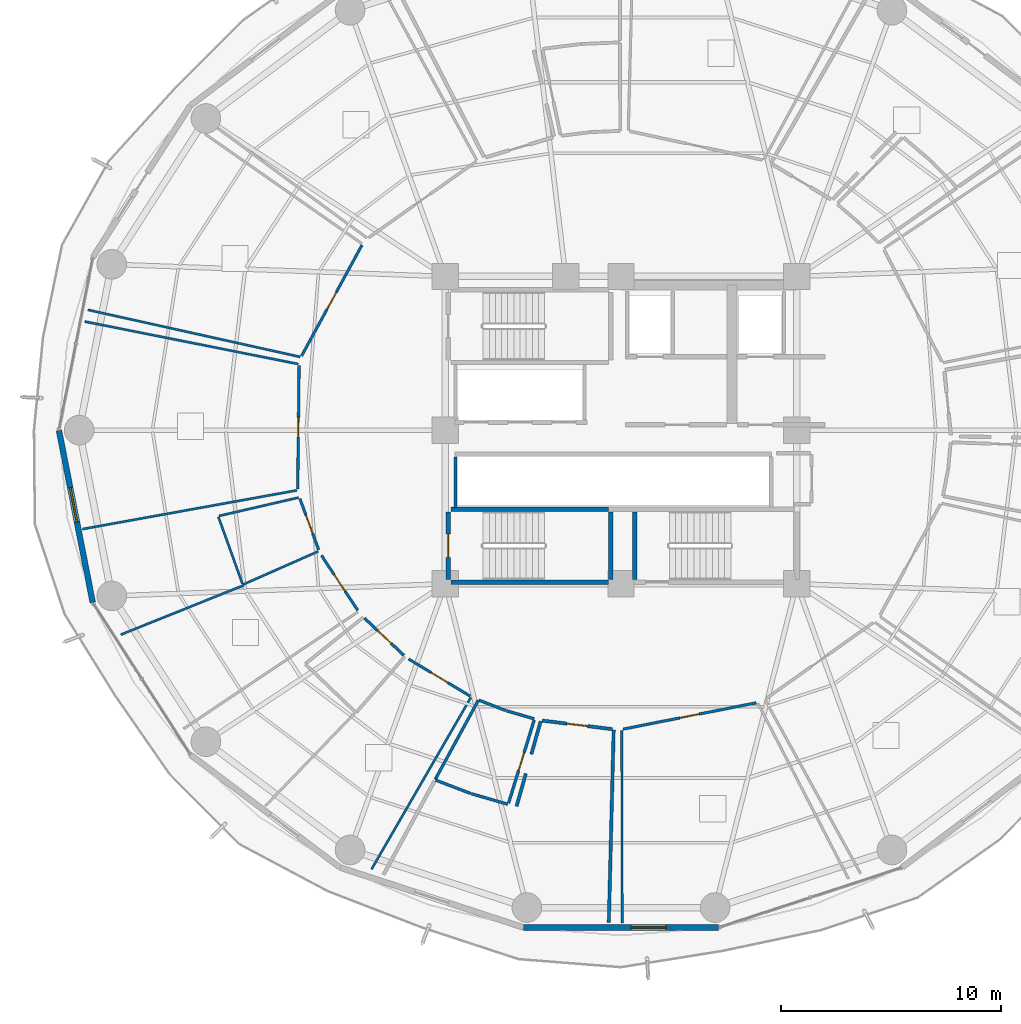
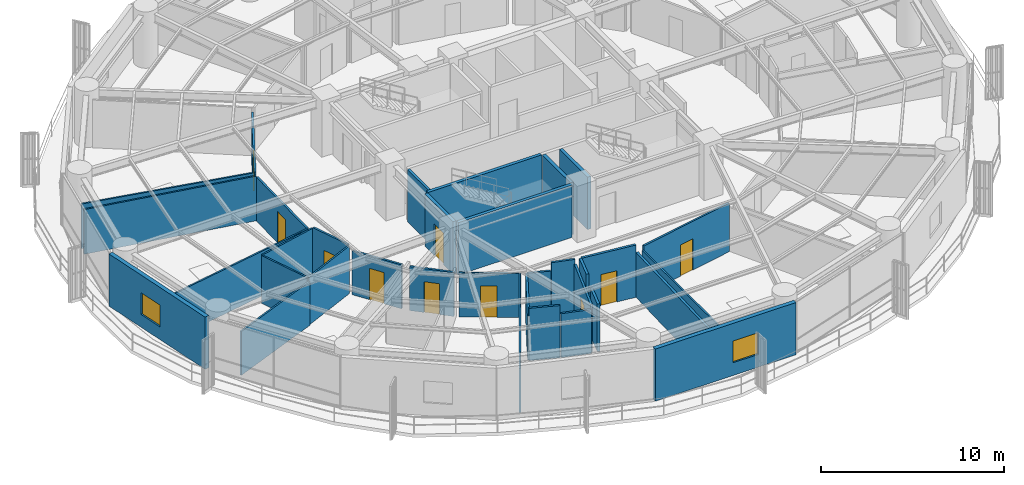
# One storey, part 29 of 35: 34 walls, 10 doors, 2 windows, 12 openings.
"""IFC4 building model written with IfcOpenShell, lengths in metres."""

from ifc_helpers import new_model, si_unit, direction, frame, frame_2d, origin, place, context, subcontext, project, spatial, rectangle, extrude, material, layer, layer_set, type_object, element, fill, save


model = new_model("IFC4")

# Units and contexts
model_context = context("Model", 3, precision=1e-05, world=origin(), true_north=direction((0.0, 1.0)))
body_context = subcontext(model_context, "Body", "Model", "MODEL_VIEW")
ifc_project = project(units=[si_unit("LENGTHUNIT", "METRE"), si_unit("AREAUNIT", "SQUARE_METRE"), si_unit("VOLUMEUNIT", "CUBIC_METRE"), si_unit("PLANEANGLEUNIT", "RADIAN"), si_unit("MASSUNIT", "GRAM", prefix="KILO")], contexts=[model_context])

# Site, building, storey
site_placement = place(None, origin())
site = spatial("IfcSite", under=ifc_project, at=site_placement, CompositionType="ELEMENT")
building_placement = place(site_placement, origin())
building = spatial("IfcBuilding", under=site, at=building_placement, Name="Kelanora Arch Commons", CompositionType="ELEMENT")
storey_placement = place(building_placement, frame((0.0, 0.0, 117.60009765625)))
storey = spatial("IfcBuildingStorey", under=building, at=storey_placement, Name="L30", CompositionType="ELEMENT", Elevation=117.60009765625)

# Wall
ifc_material_1 = material(Name="Autoclaved aerated concrete blockwork with fire plaster", Category="masonry")
ifc_layer_1 = layer(ifc_material_1, 0.14990234375)
ifc_layer_set_1 = layer_set([ifc_layer_1], Name="Autoclaved aerated concrete blockwork with fire plaster")
wall_type_1 = type_object("IfcWallType", Name="W-COMP-150", PredefinedType="PARTITIONING", material=ifc_layer_set_1)
wall_1_placement = place(storey_placement, frame((66.4599609375, 54.47998046875, 0.0), z_axis=(0.0, 0.0, 1.0), x_axis=(0.0, 1.0, 0.0)))
element("IfcWall", 1, at=wall_1_placement, inside=storey, type_object=wall_type_1, Name="South Lift Bank West Wall L30", PredefinedType="PARTITIONING", context=body_context, shape_type="SweptSolid", body=[
    extrude(rectangle(XDim=2.2900390625, YDim=0.14990234375, at=frame_2d((1.14501953125, 0.0))), origin(), (0.0, 0.0, 1.0), 3.47998046875),
])

# Wall, opening, door
wall_2_placement = place(storey_placement, frame((70.41357421875, 44.769775390625, 0.0), z_axis=(0.0, 0.0, 1.0), x_axis=(0.992649213004, -0.12102702146, 0.0)))
wall_2 = element("IfcWall", 2, at=wall_2_placement, inside=storey, type_object=wall_type_1, Name="Co-Living Studio L30-09 Entry Partition", PredefinedType="PARTITIONING", context=body_context, shape_type="SweptSolid", body=[
    extrude(rectangle(XDim=3.217529296875, YDim=0.14990234375, at=frame_2d((1.60888671875, 0.0))), origin(), (0.0, 0.0, 1.0), 3.47998046875),
])
opening_1_placement = place(wall_2_placement, frame((1.134033203125, 0.0, 0.0)))
opening_1 = element("IfcOpeningElement", 3, at=opening_1_placement, cuts=wall_2, Name="Opening D-CLU1", PredefinedType="OPENING", context=body_context, shape_type="SweptSolid", body=[
    extrude(rectangle(XDim=0.949951171875, YDim=2.080078125, at=frame_2d((0.47509765625, 1.0400390625))), frame((0.0, 0.0849609375, 0.0), z_axis=(0.0, -1.0, 0.0), x_axis=(1.0, 0.0, 0.0)), (0.0, 0.0, 1.0), 0.169921875),
])
ifc_material_2 = material(Name="Solid-core acoustic timber cluster entry fire door", Category="wood")
door_type_1 = type_object("IfcDoorType", Name="D-CLU-95", OperationType="NOTDEFINED", PredefinedType="DOOR", material=ifc_material_2)
door_1_placement = place(opening_1_placement, origin())
door_1 = element("IfcDoor", 4, at=door_1_placement, inside=storey, type_object=door_type_1, Name="Co-Living Studio L30-09 Door", OperationType="SINGLE_SWING_RIGHT", OverallHeight=2.080078125, OverallWidth=0.949951171875, PredefinedType="DOOR", context=body_context, shape_type="SweptSolid", body=[
    extrude(rectangle(XDim=0.949951171875, YDim=2.080078125, at=frame_2d((0.47509765625, 1.0400390625))), frame((0.0, 0.02490234375, 0.0), z_axis=(0.0, -1.0, 0.0), x_axis=(1.0, 0.0, 0.0)), (0.0, 0.0, 1.0), 0.050048828125),
])
fill(opening_1, door_1)

# Walls
wall_3_placement = place(storey_placement, frame((73.666015625, 44.3330078125, 0.0), z_axis=(0.0, 0.0, 1.0), x_axis=(-0.025193894125, -0.999682583473, 0.0)))
element("IfcWall", 5, at=wall_3_placement, inside=storey, type_object=wall_type_1, Name="Co-Living Studio L30-09 Enclosure Partition 2", PredefinedType="PARTITIONING", context=body_context, shape_type="SweptSolid", body=[
    extrude(rectangle(XDim=8.769775390625, YDim=0.14990234375, at=frame_2d((4.384765625, 0.0))), origin(), (0.0, 0.0, 1.0), 2.974853515625),
])
wall_4_placement = place(storey_placement, frame((69.243896484375, 40.866455078125, 0.0), z_axis=(0.0, 0.0, 1.0), x_axis=(0.273076599945, 0.961992292361, 0.0)))
element("IfcWall", 6, at=wall_4_placement, inside=storey, type_object=wall_type_1, Name="Co-Living Studio L30-09 Enclosure Partition 7", PredefinedType="PARTITIONING", context=body_context, shape_type="SweptSolid", body=[
    extrude(rectangle(XDim=1.54931640625, YDim=0.14990234375, at=frame_2d((0.774658203125, 0.0))), origin(), (0.0, 0.0, 1.0), 3.1748046875),
])
wall_5_placement = place(storey_placement, frame((69.918212890625, 43.2421875, 0.0), z_axis=(0.0, 0.0, 1.0), x_axis=(0.273103794408, 0.961984572371, 0.0)))
element("IfcWall", 7, at=wall_5_placement, inside=storey, type_object=wall_type_1, Name="Co-Living Studio L30-09 Enclosure Partition 7", PredefinedType="PARTITIONING", context=body_context, shape_type="SweptSolid", body=[
    extrude(rectangle(XDim=1.555419921875, YDim=0.14990234375, at=frame_2d((0.77783203125, 0.0))), origin(), (0.0, 0.0, 1.0), 3.47998046875),
])

# Wall, opening, window
ifc_material_3 = material(Name="Precast concrete C40/50 with terracotta rainscreen", Category="masonry")
ifc_layer_2 = layer(ifc_material_3, 0.260009765625)
ifc_layer_set_2 = layer_set([ifc_layer_2], Name="Precast concrete C40/50 with terracotta rainscreen")
wall_type_2 = type_object("IfcWallType", Name="W-EXT-TC", PredefinedType="SOLIDWALL", material=ifc_layer_set_2)
wall_6_placement = place(storey_placement, frame((48.40283203125, 57.9853515625, 0.0), z_axis=(0.0, 0.0, 1.0), x_axis=(0.192581843632, -0.981280914674, 0.0)))
wall_6 = element("IfcWall", 8, at=wall_6_placement, inside=storey, type_object=wall_type_2, Name="Terracotta Exterior Wall L30-B09", PredefinedType="SOLIDWALL", context=body_context, shape_type="SweptSolid", body=[
    extrude(rectangle(XDim=7.986572265625, YDim=0.260009765625, at=frame_2d((3.9931640625, 0.0))), origin(), (0.0, 0.0, 1.0), 3.474853515625),
])
opening_2_placement = place(wall_6_placement, frame((2.653076171875, 0.0, 0.85009765625)))
opening_2 = element("IfcOpeningElement", 9, at=opening_2_placement, cuts=wall_6, Name="Opening WN-01", PredefinedType="OPENING", context=body_context, shape_type="SweptSolid", body=[
    extrude(rectangle(XDim=1.60009765625, YDim=1.449951171875, at=frame_2d((0.800048828125, 0.72509765625))), frame((0.0, 0.14013671875, 0.0), z_axis=(0.0, -1.0, 0.0), x_axis=(1.0, 0.0, 0.0)), (0.0, 0.0, 1.0), 0.280029296875),
])
ifc_material_4 = material(Name="Terracotta-anodised aluminium frame with operable low-E glazing", Category="masonry")
window_type = type_object("IfcWindowType", Name="WIN-CL-18", PartitioningType="DOUBLE_PANEL_VERTICAL", PredefinedType="WINDOW", material=ifc_material_4)
window_1_placement = place(opening_2_placement, origin())
window_1 = element("IfcWindow", 10, at=window_1_placement, inside=storey, type_object=window_type, Name="Co-Living Operable Window L30-B09", OverallHeight=1.449951171875, OverallWidth=1.60009765625, PartitioningType="SINGLE_PANEL", PredefinedType="WINDOW", context=body_context, shape_type="SweptSolid", body=[
    extrude(rectangle(XDim=1.60009765625, YDim=1.449951171875, at=frame_2d((0.800048828125, 0.72509765625))), frame((0.0, 0.030029296875, 0.0), z_axis=(0.0, -1.0, 0.0), x_axis=(1.0, 0.0, 0.0)), (0.0, 0.0, 1.0), 0.06005859375),
])
fill(opening_2, window_1)

wall_7_placement = place(storey_placement, frame((69.569580078125, 35.349365234375, 0.0), z_axis=(0.0, 0.0, 1.0), x_axis=(1.0, 0.0, 0.0)))
wall_7 = element("IfcWall", 11, at=wall_7_placement, inside=storey, type_object=wall_type_2, Name="Terracotta Exterior Wall L30-B13", PredefinedType="SOLIDWALL", context=body_context, shape_type="SweptSolid", body=[
    extrude(rectangle(XDim=8.86083984375, YDim=0.260009765625, at=frame_2d((4.430419921875, 0.0))), origin(), (0.0, 0.0, 1.0), 3.474853515625),
])
opening_3_placement = place(wall_7_placement, frame((4.889892578125, 0.0, 0.85009765625)))
opening_3 = element("IfcOpeningElement", 12, at=opening_3_placement, cuts=wall_7, Name="Opening WN-01", PredefinedType="OPENING", context=body_context, shape_type="SweptSolid", body=[
    extrude(rectangle(XDim=1.60009765625, YDim=1.449951171875, at=frame_2d((0.800048828125, 0.72509765625))), frame((0.0, 0.14013671875, 0.0), z_axis=(0.0, -1.0, 0.0), x_axis=(1.0, 0.0, 0.0)), (0.0, 0.0, 1.0), 0.280029296875),
])
window_2_placement = place(opening_3_placement, origin())
window_2 = element("IfcWindow", 13, at=window_2_placement, inside=storey, type_object=window_type, Name="Co-Living Operable Window L30-B13", OverallHeight=1.449951171875, OverallWidth=1.60009765625, PartitioningType="SINGLE_PANEL", PredefinedType="WINDOW", context=body_context, shape_type="SweptSolid", body=[
    extrude(rectangle(XDim=1.60009765625, YDim=1.449951171875, at=frame_2d((0.800048828125, 0.72509765625))), frame((0.0, 0.030029296875, 0.0), z_axis=(0.0, -1.0, 0.0), x_axis=(1.0, 0.0, 0.0)), (0.0, 0.0, 1.0), 0.06005859375),
])
fill(opening_3, window_2)

# Walls
ifc_material_5 = material(Name="Lightweight fire-rated acoustic stud partition")
ifc_layer_3 = layer(ifc_material_5, 0.10009765625)
ifc_layer_set_3 = layer_set([ifc_layer_3], Name="Lightweight fire-rated acoustic stud partition")
wall_type_3 = type_object("IfcWallType", Name="W-PART-100", PredefinedType="PARTITIONING", material=ifc_layer_set_3)
wall_8_placement = place(storey_placement, frame((59.385986328125, 61.335693359375, 0.0), z_axis=(0.0, 0.0, 1.0), x_axis=(-0.976312199438, 0.216366562178, 0.0)))
element("IfcWall", 14, at=wall_8_placement, inside=storey, type_object=wall_type_3, Name="Quiet Seminar Study Room L30-05 Enclosure Partition 2", PredefinedType="PARTITIONING", context=body_context, shape_type="SweptSolid", body=[
    extrude(rectangle(XDim=9.902587890625, YDim=0.10009765625, at=frame_2d((4.951171875, 0.0))), origin(), (0.0, 0.0, 1.0), 2.974853515625),
])
wall_9_placement = place(storey_placement, frame((59.236572265625, 55.255859375, 0.0), z_axis=(0.0, 0.0, 1.0), x_axis=(-0.984081766615, -0.177716281237, 0.0)))
element("IfcWall", 15, at=wall_9_placement, inside=storey, type_object=wall_type_3, Name="Communal Dining and Social Hall L30-06 Enclosure Partition 2", PredefinedType="PARTITIONING", context=body_context, shape_type="SweptSolid", body=[
    extrude(rectangle(XDim=9.924072265625, YDim=0.10009765625, at=frame_2d((4.9619140625, 0.0))), origin(), (0.0, 0.0, 1.0), 2.974853515625),
])
wall_10_placement = place(storey_placement, frame((49.5751953125, 62.9453125, 0.0), z_axis=(0.0, 0.0, 1.0), x_axis=(0.980780933509, -0.195112174059, 0.0)))
element("IfcWall", 16, at=wall_10_placement, inside=storey, type_object=wall_type_3, Name="Communal Dining and Social Hall L30-06 Enclosure Partition 4", PredefinedType="PARTITIONING", context=body_context, shape_type="SweptSolid", body=[
    extrude(rectangle(XDim=9.915283203125, YDim=0.10009765625, at=frame_2d((4.95751953125, 0.0))), origin(), (0.0, 0.0, 1.0), 2.974853515625),
])
wall_11_placement = place(storey_placement, frame((60.21337890625, 52.47900390625, 0.0), z_axis=(0.0, 0.0, 1.0), x_axis=(-0.914847920866, -0.403798565732, 0.0)))
element("IfcWall", 17, at=wall_11_placement, inside=storey, type_object=wall_type_3, Name="Student Laundry Room L30-07 Enclosure Partition 2", PredefinedType="PARTITIONING", context=body_context, shape_type="SweptSolid", body=[
    extrude(rectangle(XDim=3.719482421875, YDim=0.10009765625, at=frame_2d((1.85986328125, 0.0))), origin(), (0.0, 0.0, 1.0), 3.1748046875),
])
wall_12_placement = place(storey_placement, frame((56.760498046875, 50.99853515625, 0.0), z_axis=(0.0, 0.0, 1.0), x_axis=(-0.338198726163, 0.94107471628, 0.0)))
element("IfcWall", 18, at=wall_12_placement, inside=storey, type_object=wall_type_3, Name="Student Laundry Room L30-07 Enclosure Partition 3", PredefinedType="PARTITIONING", context=body_context, shape_type="SweptSolid", body=[
    extrude(rectangle(XDim=3.237548828125, YDim=0.10009765625, at=frame_2d((1.61865234375, 0.0))), origin(), (0.0, 0.0, 1.0), 3.1748046875),
])
wall_13_placement = place(storey_placement, frame((55.69091796875, 54.092041015625, 0.0), z_axis=(0.0, 0.0, 1.0), x_axis=(0.974413318027, 0.224763621728, 0.0)))
element("IfcWall", 19, at=wall_13_placement, inside=storey, type_object=wall_type_3, Name="Student Laundry Room L30-07 Enclosure Partition 4", PredefinedType="PARTITIONING", context=body_context, shape_type="SweptSolid", body=[
    extrude(rectangle(XDim=3.71923828125, YDim=0.10009765625, at=frame_2d((1.859619140625, 0.0))), origin(), (0.0, 0.0, 1.0), 3.1748046875),
])
wall_14_placement = place(storey_placement, frame((51.218994140625, 48.684814453125, 0.0), z_axis=(0.0, 0.0, 1.0), x_axis=(0.927926926295, 0.372762148637, 0.0)))
element("IfcWall", 20, at=wall_14_placement, inside=storey, type_object=wall_type_3, Name="Quiet Reading Carrel L30-07 Enclosure Partition 4", PredefinedType="PARTITIONING", context=body_context, shape_type="SweptSolid", body=[
    extrude(rectangle(XDim=6.04443359375, YDim=0.10009765625, at=frame_2d((3.022216796875, 0.0))), origin(), (0.0, 0.0, 1.0), 2.9248046875),
])
wall_15_placement = place(storey_placement, frame((67.159912109375, 45.8193359375, 0.0), z_axis=(0.0, 0.0, 1.0), x_axis=(-0.500668535271, -0.865639080558, 0.0)))
element("IfcWall", 21, at=wall_15_placement, inside=storey, type_object=wall_type_3, Name="Tutorial Study Alcove L30-08 Enclosure Partition 2", PredefinedType="PARTITIONING", context=body_context, shape_type="SweptSolid", body=[
    extrude(rectangle(XDim=9.030029296875, YDim=0.10009765625, at=frame_2d((4.51513671875, 0.0))), origin(), (0.0, 0.0, 1.0), 2.9248046875),
])
wall_16_placement = place(storey_placement, frame((74.055908203125, 35.56005859375, 0.0), z_axis=(0.0, 0.0, 1.0), x_axis=(-0.00247758273, 0.999996930787, 0.0)))
element("IfcWall", 22, at=wall_16_placement, inside=storey, type_object=wall_type_3, Name="Social Sky Lounge L30-10 Enclosure Partition 4", PredefinedType="PARTITIONING", context=body_context, shape_type="SweptSolid", body=[
    extrude(rectangle(XDim=8.77001953125, YDim=0.10009765625, at=frame_2d((4.385009765625, 0.0))), origin(), (0.0, 0.0, 1.0), 2.974853515625),
])

# Wall, opening, door
ifc_material_6 = material(Name="Acoustic twin-stud fire-rated gypsum partition")
ifc_layer_4 = layer(ifc_material_6, 0.1201171875)
ifc_layer_set_4 = layer_set([ifc_layer_4], Name="Acoustic twin-stud fire-rated gypsum partition")
wall_type_4 = type_object("IfcWallType", Name="W-PART-120", PredefinedType="PARTITIONING", material=ifc_layer_set_4)
wall_17_placement = place(storey_placement, frame((62.19921875, 66.42138671875, 0.0), z_axis=(0.0, 0.0, 1.0), x_axis=(-0.478256103777, -0.878220416069, 0.0)))
wall_17 = element("IfcWall", 23, at=wall_17_placement, inside=storey, type_object=wall_type_4, Name="Quiet Seminar Study Room L30-05 Entry Partition", PredefinedType="PARTITIONING", context=body_context, shape_type="SweptSolid", body=[
    extrude(rectangle(XDim=5.740966796875, YDim=0.1201171875, at=frame_2d((2.87060546875, 0.0))), origin(), (0.0, 0.0, 1.0), 2.9248046875),
])
opening_4_placement = place(wall_17_placement, frame((2.419921875, 0.0, 0.0)))
opening_4 = element("IfcOpeningElement", 24, at=opening_4_placement, cuts=wall_17, Name="Opening D-RM1", PredefinedType="OPENING", context=body_context, shape_type="SweptSolid", body=[
    extrude(rectangle(XDim=0.89990234375, YDim=2.080078125, at=frame_2d((0.449951171875, 1.0400390625))), frame((0.0, 0.070068359375, 0.0), z_axis=(0.0, -1.0, 0.0), x_axis=(1.0, 0.0, 0.0)), (0.0, 0.0, 1.0), 0.14013671875),
])
ifc_material_7 = material(Name="Acoustic fire-rated timber study and lounge door", Category="wood")
door_type_2 = type_object("IfcDoorType", Name="D-ROOM-90", OperationType="NOTDEFINED", PredefinedType="DOOR", material=ifc_material_7)
door_2_placement = place(opening_4_placement, origin())
door_2 = element("IfcDoor", 25, at=door_2_placement, inside=storey, type_object=door_type_2, Name="Quiet Seminar Study Room L30-05 Door", OperationType="SINGLE_SWING_LEFT", OverallHeight=2.080078125, OverallWidth=0.89990234375, PredefinedType="DOOR", context=body_context, shape_type="SweptSolid", body=[
    extrude(rectangle(XDim=0.89990234375, YDim=2.080078125, at=frame_2d((0.449951171875, 1.0400390625))), frame((0.0, 0.02490234375, 0.0), z_axis=(0.0, -1.0, 0.0), x_axis=(1.0, 0.0, 0.0)), (0.0, 0.0, 1.0), 0.050048828125),
])
fill(opening_4, door_2)

wall_18_placement = place(storey_placement, frame((59.33837890625, 60.943115234375, 0.0), z_axis=(0.0, 0.0, 1.0), x_axis=(-0.010989779386, -0.999939610551, 0.0)))
wall_18 = element("IfcWall", 26, at=wall_18_placement, inside=storey, type_object=wall_type_4, Name="Communal Dining and Social Hall L30-06 Entry Partition", PredefinedType="PARTITIONING", context=body_context, shape_type="SweptSolid", body=[
    extrude(rectangle(XDim=5.620361328125, YDim=0.1201171875, at=frame_2d((2.81005859375, 0.0))), origin(), (0.0, 0.0, 1.0), 2.9248046875),
])
opening_5_placement = place(wall_18_placement, frame((2.360107421875, 0.0, 0.0)))
opening_5 = element("IfcOpeningElement", 27, at=opening_5_placement, cuts=wall_18, Name="Opening D-RM1", PredefinedType="OPENING", context=body_context, shape_type="SweptSolid", body=[
    extrude(rectangle(XDim=0.89990234375, YDim=2.080078125, at=frame_2d((0.449951171875, 1.0400390625))), frame((0.0, 0.070068359375, 0.0), z_axis=(0.0, -1.0, 0.0), x_axis=(1.0, 0.0, 0.0)), (0.0, 0.0, 1.0), 0.14013671875),
])
door_3_placement = place(opening_5_placement, origin())
door_3 = element("IfcDoor", 28, at=door_3_placement, inside=storey, type_object=door_type_2, Name="Communal Dining and Social Hall L30-06 Door", OperationType="SINGLE_SWING_RIGHT", OverallHeight=2.080078125, OverallWidth=0.89990234375, PredefinedType="DOOR", context=body_context, shape_type="SweptSolid", body=[
    extrude(rectangle(XDim=0.89990234375, YDim=2.080078125, at=frame_2d((0.449951171875, 1.0400390625))), frame((0.0, 0.02490234375, 0.0), z_axis=(0.0, -1.0, 0.0), x_axis=(1.0, 0.0, 0.0)), (0.0, 0.0, 1.0), 0.050048828125),
])
fill(opening_5, door_3)

wall_19_placement = place(storey_placement, frame((59.374755859375, 54.880615234375, 0.0), z_axis=(0.0, 0.0, 1.0), x_axis=(0.344396316594, -0.938824359035, 0.0)))
wall_19 = element("IfcWall", 29, at=wall_19_placement, inside=storey, type_object=wall_type_4, Name="Student Laundry Room L30-07 Entry Partition", PredefinedType="PARTITIONING", context=body_context, shape_type="SweptSolid", body=[
    extrude(rectangle(XDim=2.481201171875, YDim=0.1201171875, at=frame_2d((1.24072265625, 0.0))), origin(), (0.0, 0.0, 1.0), 3.23486328125),
])
opening_6_placement = place(wall_19_placement, frame((0.791015625, 0.0, 0.0)))
opening_6 = element("IfcOpeningElement", 30, at=opening_6_placement, cuts=wall_19, Name="Opening D-RM1", PredefinedType="OPENING", context=body_context, shape_type="SweptSolid", body=[
    extrude(rectangle(XDim=0.89990234375, YDim=2.080078125, at=frame_2d((0.449951171875, 1.0400390625))), frame((0.0, 0.070068359375, 0.0), z_axis=(0.0, -1.0, 0.0), x_axis=(1.0, 0.0, 0.0)), (0.0, 0.0, 1.0), 0.14013671875),
])
door_4_placement = place(opening_6_placement, origin())
door_4 = element("IfcDoor", 31, at=door_4_placement, inside=storey, type_object=door_type_2, Name="Student Laundry Room L30-07 Door", OperationType="SINGLE_SWING_LEFT", OverallHeight=2.080078125, OverallWidth=0.89990234375, PredefinedType="DOOR", context=body_context, shape_type="SweptSolid", body=[
    extrude(rectangle(XDim=0.89990234375, YDim=2.080078125, at=frame_2d((0.449951171875, 1.0400390625))), frame((0.0, 0.02490234375, 0.0), z_axis=(0.0, -1.0, 0.0), x_axis=(1.0, 0.0, 0.0)), (0.0, 0.0, 1.0), 0.050048828125),
])
fill(opening_6, door_4)

wall_20_placement = place(storey_placement, frame((60.358154296875, 52.29296875, 0.0), z_axis=(0.0, 0.0, 1.0), x_axis=(0.551050840628, -0.834471671804, 0.0)))
wall_20 = element("IfcWall", 32, at=wall_20_placement, inside=storey, type_object=wall_type_4, Name="Quiet Reading Carrel L30-07 Entry Partition", PredefinedType="PARTITIONING", context=body_context, shape_type="SweptSolid", body=[
    extrude(rectangle(XDim=2.99951171875, YDim=0.1201171875, at=frame_2d((1.499755859375, 0.0))), origin(), (0.0, 0.0, 1.0), 2.9248046875),
])
opening_7_placement = place(wall_20_placement, frame((1.050048828125, 0.0, 0.0)))
opening_7 = element("IfcOpeningElement", 33, at=opening_7_placement, cuts=wall_20, Name="Opening D-RM1", PredefinedType="OPENING", context=body_context, shape_type="SweptSolid", body=[
    extrude(rectangle(XDim=0.89990234375, YDim=2.080078125, at=frame_2d((0.449951171875, 1.0400390625))), frame((0.0, 0.070068359375, 0.0), z_axis=(0.0, -1.0, 0.0), x_axis=(1.0, 0.0, 0.0)), (0.0, 0.0, 1.0), 0.14013671875),
])
door_5_placement = place(opening_7_placement, origin())
door_5 = element("IfcDoor", 34, at=door_5_placement, inside=storey, type_object=door_type_2, Name="Quiet Reading Carrel L30-07 Door", OperationType="SINGLE_SWING_RIGHT", OverallHeight=2.080078125, OverallWidth=0.89990234375, PredefinedType="DOOR", context=body_context, shape_type="SweptSolid", body=[
    extrude(rectangle(XDim=0.89990234375, YDim=2.080078125, at=frame_2d((0.449951171875, 1.0400390625))), frame((0.0, 0.02490234375, 0.0), z_axis=(0.0, -1.0, 0.0), x_axis=(1.0, 0.0, 0.0)), (0.0, 0.0, 1.0), 0.050048828125),
])
fill(opening_7, door_5)

wall_21_placement = place(storey_placement, frame((64.329345703125, 47.573974609375, 0.0), z_axis=(0.0, 0.0, 1.0), x_axis=(0.8562252486, -0.516602674848, 0.0)))
wall_21 = element("IfcWall", 35, at=wall_21_placement, inside=storey, type_object=wall_type_4, Name="Tutorial Study Alcove L30-08 Entry Partition", PredefinedType="PARTITIONING", context=body_context, shape_type="SweptSolid", body=[
    extrude(rectangle(XDim=3.269287109375, YDim=0.1201171875, at=frame_2d((1.634765625, 0.0))), origin(), (0.0, 0.0, 1.0), 2.9248046875),
])
opening_8_placement = place(wall_21_placement, frame((1.18505859375, 0.0, 0.0)))
opening_8 = element("IfcOpeningElement", 36, at=opening_8_placement, cuts=wall_21, Name="Opening D-RM1", PredefinedType="OPENING", context=body_context, shape_type="SweptSolid", body=[
    extrude(rectangle(XDim=0.89990234375, YDim=2.080078125, at=frame_2d((0.449951171875, 1.0400390625))), frame((0.0, 0.070068359375, 0.0), z_axis=(0.0, -1.0, 0.0), x_axis=(1.0, 0.0, 0.0)), (0.0, 0.0, 1.0), 0.14013671875),
])
door_6_placement = place(opening_8_placement, origin())
door_6 = element("IfcDoor", 37, at=door_6_placement, inside=storey, type_object=door_type_2, Name="Tutorial Study Alcove L30-08 Door", OperationType="SINGLE_SWING_RIGHT", OverallHeight=2.080078125, OverallWidth=0.89990234375, PredefinedType="DOOR", context=body_context, shape_type="SweptSolid", body=[
    extrude(rectangle(XDim=0.89990234375, YDim=2.080078125, at=frame_2d((0.449951171875, 1.0400390625))), frame((0.0, 0.02490234375, 0.0), z_axis=(0.0, -1.0, 0.0), x_axis=(1.0, 0.0, 0.0)), (0.0, 0.0, 1.0), 0.050048828125),
])
fill(opening_8, door_6)

wall_22_placement = place(storey_placement, frame((74.093017578125, 44.381591796875, 0.0), z_axis=(0.0, 0.0, 1.0), x_axis=(0.981035031673, 0.193830510061, 0.0)))
wall_22 = element("IfcWall", 38, at=wall_22_placement, inside=storey, type_object=wall_type_4, Name="Social Sky Lounge L30-10 Entry Partition", PredefinedType="PARTITIONING", context=body_context, shape_type="SweptSolid", body=[
    extrude(rectangle(XDim=6.184326171875, YDim=0.1201171875, at=frame_2d((3.09228515625, 0.0))), origin(), (0.0, 0.0, 1.0), 3.23486328125),
])
opening_9_placement = place(wall_22_placement, frame((2.64208984375, 0.0, 0.0)))
opening_9 = element("IfcOpeningElement", 39, at=opening_9_placement, cuts=wall_22, Name="Opening D-RM1", PredefinedType="OPENING", context=body_context, shape_type="SweptSolid", body=[
    extrude(rectangle(XDim=0.89990234375, YDim=2.080078125, at=frame_2d((0.449951171875, 1.0400390625))), frame((0.0, 0.070068359375, 0.0), z_axis=(0.0, -1.0, 0.0), x_axis=(1.0, 0.0, 0.0)), (0.0, 0.0, 1.0), 0.14013671875),
])
door_7_placement = place(opening_9_placement, origin())
door_7 = element("IfcDoor", 40, at=door_7_placement, inside=storey, type_object=door_type_2, Name="Social Sky Lounge L30-10 Door", OperationType="SINGLE_SWING_LEFT", OverallHeight=2.080078125, OverallWidth=0.89990234375, PredefinedType="DOOR", context=body_context, shape_type="SweptSolid", body=[
    extrude(rectangle(XDim=0.89990234375, YDim=2.080078125, at=frame_2d((0.449951171875, 1.0400390625))), frame((0.0, 0.02490234375, 0.0), z_axis=(0.0, -1.0, 0.0), x_axis=(1.0, 0.0, 0.0)), (0.0, 0.0, 1.0), 0.050048828125),
])
fill(opening_9, door_7)

# Walls
ifc_material_8 = material(Name="Concrete C40/50", Category="concrete")
ifc_layer_5 = layer(ifc_material_8, 0.199951171875)
ifc_layer_set_5 = layer_set([ifc_layer_5], Name="Concrete C40/50")
wall_type_5 = type_object("IfcWallType", Name="W-STAIR-200", PredefinedType="SHEAR", material=ifc_layer_set_5)
wall_23_placement = place(storey_placement, frame((74.6201171875, 54.27001953125, 0.0), z_axis=(0.0, 0.0, 1.0), x_axis=(0.0, -1.0, 0.0)))
element("IfcWall", 41, at=wall_23_placement, inside=storey, type_object=wall_type_5, Name="Stair ST-T2 Shaft Wall W L30", PredefinedType="SHEAR", context=body_context, shape_type="SweptSolid", body=[
    extrude(rectangle(XDim=3.070068359375, YDim=0.199951171875, at=frame_2d((1.53515625, 0.0))), origin(), (0.0, 0.0, 1.0), 3.489990234375),
])
wall_24_placement = place(storey_placement, frame((66.260009765625, 51.080078125, 0.0), z_axis=(0.0, 0.0, 1.0), x_axis=(1.0, 0.0, 0.0)))
element("IfcWall", 42, at=wall_24_placement, inside=storey, type_object=wall_type_5, Name="Stair ST-T3 Shaft Wall S L30", PredefinedType="SHEAR", context=body_context, shape_type="SweptSolid", body=[
    extrude(rectangle(XDim=7.159912109375, YDim=0.199951171875, at=frame_2d((3.580078125, 0.0))), origin(), (0.0, 0.0, 1.0), 3.489990234375),
])
wall_25_placement = place(storey_placement, frame((73.5400390625, 51.199951171875, 0.0), z_axis=(0.0, 0.0, 1.0), x_axis=(0.0, 1.0, 0.0)))
element("IfcWall", 43, at=wall_25_placement, inside=storey, type_object=wall_type_5, Name="Stair ST-T3 Shaft Wall E L30", PredefinedType="SHEAR", context=body_context, shape_type="SweptSolid", body=[
    extrude(rectangle(XDim=3.070068359375, YDim=0.199951171875, at=frame_2d((1.53515625, 0.0))), origin(), (0.0, 0.0, 1.0), 3.489990234375),
])
wall_26_placement = place(storey_placement, frame((73.419921875, 54.389892578125, 0.0), z_axis=(0.0, 0.0, 1.0), x_axis=(-1.0, 0.0, 0.0)))
element("IfcWall", 44, at=wall_26_placement, inside=storey, type_object=wall_type_5, Name="Stair ST-T3 Shaft Wall N L30", PredefinedType="SHEAR", context=body_context, shape_type="SweptSolid", body=[
    extrude(rectangle(XDim=7.159912109375, YDim=0.199951171875, at=frame_2d((3.580078125, 0.0))), origin(), (0.0, 0.0, 1.0), 3.489990234375),
])

# Wall, opening, door
wall_27_placement = place(storey_placement, frame((66.139892578125, 54.27001953125, 0.0), z_axis=(0.0, 0.0, 1.0), x_axis=(0.0, -1.0, 0.0)))
wall_27 = element("IfcWall", 45, at=wall_27_placement, inside=storey, type_object=wall_type_5, Name="Stair ST-T3 Shaft Wall W L30", PredefinedType="SHEAR", context=body_context, shape_type="SweptSolid", body=[
    extrude(rectangle(XDim=3.070068359375, YDim=0.199951171875, at=frame_2d((1.53515625, 0.0))), origin(), (0.0, 0.0, 1.0), 3.489990234375),
])
opening_10_placement = place(wall_27_placement, frame((1.010009765625, 0.0, 0.0)))
opening_10 = element("IfcOpeningElement", 46, at=opening_10_placement, cuts=wall_27, Name="Opening D-ST1", PredefinedType="OPENING", context=body_context, shape_type="SweptSolid", body=[
    extrude(rectangle(XDim=1.050048828125, YDim=2.10009765625, at=frame_2d((0.52490234375, 1.050048828125))), frame((0.0, 0.10986328125, 0.0), z_axis=(0.0, -1.0, 0.0), x_axis=(1.0, 0.0, 0.0)), (0.0, 0.0, 1.0), 0.219970703125),
])
ifc_material_9 = material(Name="Steel fire-rated stairwell escape door", Category="steel")
door_type_3 = type_object("IfcDoorType", Name="D-STAIR-110", OperationType="NOTDEFINED", PredefinedType="DOOR", material=ifc_material_9)
door_8_placement = place(opening_10_placement, origin())
door_8 = element("IfcDoor", 47, at=door_8_placement, inside=storey, type_object=door_type_3, Name="Stair ST-T3 Escape Door L30", OperationType="SINGLE_SWING_LEFT", OverallHeight=2.10009765625, OverallWidth=1.050048828125, PredefinedType="DOOR", context=body_context, shape_type="SweptSolid", body=[
    extrude(rectangle(XDim=1.050048828125, YDim=2.10009765625, at=frame_2d((0.52490234375, 1.050048828125))), frame((0.0, 0.02490234375, 0.0), z_axis=(0.0, -1.0, 0.0), x_axis=(1.0, 0.0, 0.0)), (0.0, 0.0, 1.0), 0.050048828125),
])
fill(opening_10, door_8)

ifc_material_10 = material(Name="Moisture-resistant fire-rated cement-board plumbing wall")
ifc_layer_6 = layer(ifc_material_10, 0.1298828125)
ifc_layer_set_6 = layer_set([ifc_layer_6], Name="Moisture-resistant fire-rated cement-board plumbing wall")
wall_type_6 = type_object("IfcWallType", Name="W-WET-120", PredefinedType="PLUMBINGWALL", material=ifc_layer_set_6)
wall_28_placement = place(storey_placement, frame((62.313720703125, 49.43701171875, 0.0), z_axis=(0.0, 0.0, 1.0), x_axis=(0.727704720547, -0.68589054498, 0.0)))
wall_28 = element("IfcWall", 48, at=wall_28_placement, inside=storey, type_object=wall_type_6, Name="Accessible Shared Floor WC L30-08 Entry Partition", PredefinedType="PLUMBINGWALL", context=body_context, shape_type="SweptSolid", body=[
    extrude(rectangle(XDim=2.4755859375, YDim=0.1298828125, at=frame_2d((1.23779296875, 0.0))), origin(), (0.0, 0.0, 1.0), 2.9248046875),
])
opening_11_placement = place(wall_28_placement, frame((0.80810546875, 0.0, 0.0)))
opening_11 = element("IfcOpeningElement", 49, at=opening_11_placement, cuts=wall_28, Name="Opening D-BT1", PredefinedType="OPENING", context=body_context, shape_type="SweptSolid", body=[
    extrude(rectangle(XDim=0.860107421875, YDim=2.050048828125, at=frame_2d((0.43017578125, 1.02490234375))), frame((0.0, 0.074951171875, 0.0), z_axis=(0.0, -1.0, 0.0), x_axis=(1.0, 0.0, 0.0)), (0.0, 0.0, 1.0), 0.14990234375),
])
ifc_material_11 = material(Name="Moisture-sealed fire-rated accessible bathroom door")
door_type_4 = type_object("IfcDoorType", Name="D-BATH-85", OperationType="NOTDEFINED", PredefinedType="DOOR", material=ifc_material_11)
door_9_placement = place(opening_11_placement, origin())
door_9 = element("IfcDoor", 50, at=door_9_placement, inside=storey, type_object=door_type_4, Name="Accessible Shared Floor WC L30-08 Door", OperationType="SINGLE_SWING_LEFT", OverallHeight=2.050048828125, OverallWidth=0.860107421875, PredefinedType="DOOR", context=body_context, shape_type="SweptSolid", body=[
    extrude(rectangle(XDim=0.860107421875, YDim=2.050048828125, at=frame_2d((0.43017578125, 1.02490234375))), frame((0.0, 0.02490234375, 0.0), z_axis=(0.0, -1.0, 0.0), x_axis=(1.0, 0.0, 0.0)), (0.0, 0.0, 1.0), 0.050048828125),
])
fill(opening_11, door_9)

wall_29_placement = place(storey_placement, frame((70.044189453125, 44.788818359375, 0.0), z_axis=(0.0, 0.0, 1.0), x_axis=(-0.294737077858, -0.955578387646, 0.0)))
wall_29 = element("IfcWall", 51, at=wall_29_placement, inside=storey, type_object=wall_type_6, Name="En-Suite Shower WC L30-09 Entry Partition", PredefinedType="PLUMBINGWALL", context=body_context, shape_type="SweptSolid", body=[
    extrude(rectangle(XDim=3.951171875, YDim=0.1298828125, at=frame_2d((1.9755859375, 0.0))), origin(), (0.0, 0.0, 1.0), 3.1748046875),
])
opening_12_placement = place(wall_29_placement, frame((1.544921875, 0.0, 0.0)))
opening_12 = element("IfcOpeningElement", 52, at=opening_12_placement, cuts=wall_29, Name="Opening D-BT1", PredefinedType="OPENING", context=body_context, shape_type="SweptSolid", body=[
    extrude(rectangle(XDim=0.860107421875, YDim=2.050048828125, at=frame_2d((0.43017578125, 1.02490234375))), frame((0.0, 0.074951171875, 0.0), z_axis=(0.0, -1.0, 0.0), x_axis=(1.0, 0.0, 0.0)), (0.0, 0.0, 1.0), 0.14990234375),
])
door_10_placement = place(opening_12_placement, origin())
door_10 = element("IfcDoor", 53, at=door_10_placement, inside=storey, type_object=door_type_4, Name="En-Suite Shower WC L30-09 Door", OperationType="SINGLE_SWING_LEFT", OverallHeight=2.050048828125, OverallWidth=0.860107421875, PredefinedType="DOOR", context=body_context, shape_type="SweptSolid", body=[
    extrude(rectangle(XDim=0.860107421875, YDim=2.050048828125, at=frame_2d((0.43017578125, 1.02490234375))), frame((0.0, 0.02490234375, 0.0), z_axis=(0.0, -1.0, 0.0), x_axis=(1.0, 0.0, 0.0)), (0.0, 0.0, 1.0), 0.050048828125),
])
fill(opening_12, door_10)

# Walls
wall_30_placement = place(storey_placement, frame((67.527587890625, 45.69970703125, 0.0), z_axis=(0.0, 0.0, 1.0), x_axis=(0.933311844858, -0.359066846488, 0.0)))
element("IfcWall", 54, at=wall_30_placement, inside=storey, type_object=wall_type_6, Name="En-Suite Shower WC L30-09 Enclosure Partition 1", PredefinedType="PLUMBINGWALL", context=body_context, shape_type="SweptSolid", body=[
    extrude(rectangle(XDim=1.3046875, YDim=0.1298828125, at=frame_2d((0.65234375, 0.0))), origin(), (0.0, 0.0, 1.0), 2.9248046875),
])
wall_31_placement = place(storey_placement, frame((68.783203125, 45.218505859375, 0.0), z_axis=(0.0, 0.0, 1.0), x_axis=(0.960085412009, -0.279706992489, 0.0)))
element("IfcWall", 55, at=wall_31_placement, inside=storey, type_object=wall_type_6, Name="En-Suite Shower WC L30-09 Enclosure Partition 2", PredefinedType="PLUMBINGWALL", context=body_context, shape_type="SweptSolid", body=[
    extrude(rectangle(XDim=1.311767578125, YDim=0.1298828125, at=frame_2d((0.65576171875, 0.0))), origin(), (0.0, 0.0, 1.0), 3.47998046875),
])
wall_32_placement = place(storey_placement, frame((68.8427734375, 40.96142578125, 0.0), z_axis=(0.0, 0.0, 1.0), x_axis=(-0.960750273448, 0.277414693321, 0.0)))
element("IfcWall", 56, at=wall_32_placement, inside=storey, type_object=wall_type_6, Name="En-Suite Shower WC L30-09 Enclosure Partition 4", PredefinedType="PLUMBINGWALL", context=body_context, shape_type="SweptSolid", body=[
    extrude(rectangle(XDim=1.72314453125, YDim=0.1298828125, at=frame_2d((0.861572265625, 0.0))), origin(), (0.0, 0.0, 1.0), 2.9248046875),
])
wall_33_placement = place(storey_placement, frame((67.1494140625, 41.4521484375, 0.0), z_axis=(0.0, 0.0, 1.0), x_axis=(-0.934103540356, 0.357002207127, 0.0)))
element("IfcWall", 57, at=wall_33_placement, inside=storey, type_object=wall_type_6, Name="En-Suite Shower WC L30-09 Enclosure Partition 5", PredefinedType="PLUMBINGWALL", context=body_context, shape_type="SweptSolid", body=[
    extrude(rectangle(XDim=1.7138671875, YDim=0.1298828125, at=frame_2d((0.85693359375, 0.0))), origin(), (0.0, 0.0, 1.0), 3.47998046875),
])
wall_34_placement = place(storey_placement, frame((65.53955078125, 42.088623046875, 0.0), z_axis=(0.0, 0.0, 1.0), x_axis=(0.478075883312, 0.878318535496, 0.0)))
element("IfcWall", 58, at=wall_34_placement, inside=storey, type_object=wall_type_6, Name="En-Suite Shower WC L30-09 Enclosure Partition 6", PredefinedType="PLUMBINGWALL", context=body_context, shape_type="SweptSolid", body=[
    extrude(rectangle(XDim=4.099609375, YDim=0.1298828125, at=frame_2d((2.0498046875, 0.0))), origin(), (0.0, 0.0, 1.0), 2.9248046875),
])

save(model, "model.ifc")
